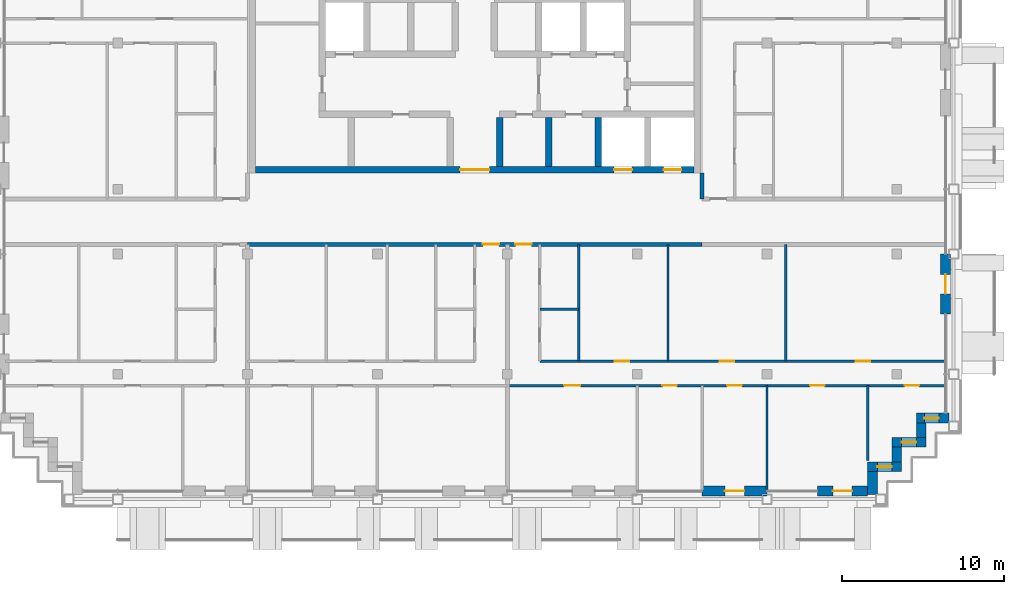
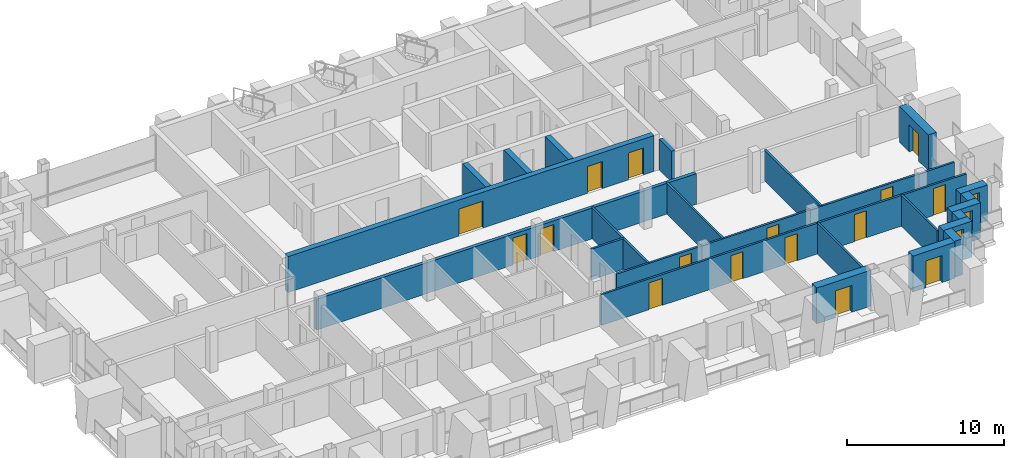
# One storey, part 9 of 15: 23 walls, 16 doors, 3 windows, 19 openings.
"""IFC4 building model written with IfcOpenShell, lengths in metres."""

from ifc_helpers import new_model, si_unit, direction, frame, frame_2d, origin, place, context, subcontext, project, spatial, rectangle, extrude, material, layer, layer_set, type_object, element, fill, save


model = new_model("IFC4")

# Units and contexts
model_context = context("Model", 3, precision=1e-05, world=origin(), true_north=direction((0.0, 1.0)))
body_context = subcontext(model_context, "Body", "Model", "MODEL_VIEW")
ifc_project = project(units=[si_unit("LENGTHUNIT", "METRE"), si_unit("AREAUNIT", "SQUARE_METRE"), si_unit("VOLUMEUNIT", "CUBIC_METRE"), si_unit("PLANEANGLEUNIT", "RADIAN"), si_unit("MASSUNIT", "GRAM", prefix="KILO")], contexts=[model_context])

# Site, building, storey
site_placement = place(None, origin())
site = spatial("IfcSite", under=ifc_project, at=site_placement, CompositionType="ELEMENT")
building_placement = place(site_placement, origin())
building = spatial("IfcBuilding", under=site, at=building_placement, Name="Vidyagriha Tower", CompositionType="ELEMENT")
storey_placement = place(building_placement, frame((0.0, 0.0, 236.39990234375)))
storey = spatial("IfcBuildingStorey", under=building, at=storey_placement, Name="L62", CompositionType="ELEMENT", Elevation=236.39990234375)

# Wall, opening, door
ifc_material_1 = material(Name="Precast concrete C40/50 with brick facing", Category="concrete")
ifc_layer_1 = layer(ifc_material_1, 0.60009765625)
ifc_layer_set_1 = layer_set([ifc_layer_1], Name="Precast concrete C40/50 with brick facing")
wall_type_1 = type_object("IfcWallType", Name="Brick-faced precast wall 600", PredefinedType="STANDARD", material=ifc_layer_set_1)
wall_1_placement = place(storey_placement, frame((14.0, -16.60009765625, 0.0)))
wall_1 = element("IfcWall", 1, at=wall_1_placement, inside=storey, type_object=wall_type_1, Name="Brick door bay wall L62 R23.11", PredefinedType="STANDARD", context=body_context, shape_type="SweptSolid", body=[
    extrude(rectangle(XDim=4.0, YDim=0.60009765625, at=frame_2d((2.0, 0.0))), origin(), (0.0, 0.0, 1.0), 2.800048828125),
])
opening_1_placement = place(wall_1_placement, frame((1.39990234375, 0.0, 0.0)))
opening_1 = element("IfcOpeningElement", 2, at=opening_1_placement, cuts=wall_1, Name="Opening D62-62", PredefinedType="OPENING", context=body_context, shape_type="SweptSolid", body=[
    extrude(rectangle(XDim=1.199951171875, YDim=2.10009765625, at=frame_2d((0.60009765625, 1.050048828125))), frame((0.0, 0.31005859375, 0.0), z_axis=(0.0, -1.0, 0.0), x_axis=(1.0, 0.0, 0.0)), (0.0, 0.0, 1.0), 0.6201171875),
])
ifc_material_2 = material(Name="Aluminium framed glazed sliding door", Category="aluminium")
door_type_1 = type_object("IfcDoorType", Name="Balcony sliding door 1200x2100", OperationType="NOTDEFINED", PredefinedType="DOOR", material=ifc_material_2)
door_1_placement = place(opening_1_placement, origin())
door_1 = element("IfcDoor", 3, at=door_1_placement, inside=storey, type_object=door_type_1, Name="Door D62-62", OperationType="SLIDING_TO_LEFT", OverallHeight=2.10009765625, OverallWidth=1.199951171875, PredefinedType="DOOR", context=body_context, shape_type="SweptSolid", body=[
    extrude(rectangle(XDim=1.199951171875, YDim=2.10009765625, at=frame_2d((0.60009765625, 1.050048828125))), frame((0.0, 0.02490234375, 0.0), z_axis=(0.0, -1.0, 0.0), x_axis=(1.0, 0.0, 0.0)), (0.0, 0.0, 1.0), 0.050048828125),
])
fill(opening_1, door_1)

wall_2_placement = place(storey_placement, frame((21.10009765625, -16.60009765625, 0.0)))
wall_2 = element("IfcWall", 4, at=wall_2_placement, inside=storey, type_object=wall_type_1, Name="Brick door bay wall L62 R23.13", PredefinedType="STANDARD", context=body_context, shape_type="SweptSolid", body=[
    extrude(rectangle(XDim=3.099853515625, YDim=0.60009765625, at=frame_2d((1.5498046875, 0.0))), origin(), (0.0, 0.0, 1.0), 2.800048828125),
])
opening_2_placement = place(wall_2_placement, frame((0.949951171875, 0.0, 0.0)))
opening_2 = element("IfcOpeningElement", 5, at=opening_2_placement, cuts=wall_2, Name="Opening D62-63", PredefinedType="OPENING", context=body_context, shape_type="SweptSolid", body=[
    extrude(rectangle(XDim=1.199951171875, YDim=2.10009765625, at=frame_2d((0.60009765625, 1.050048828125))), frame((0.0, 0.31005859375, 0.0), z_axis=(0.0, -1.0, 0.0), x_axis=(1.0, 0.0, 0.0)), (0.0, 0.0, 1.0), 0.6201171875),
])
door_2_placement = place(opening_2_placement, origin())
door_2 = element("IfcDoor", 6, at=door_2_placement, inside=storey, type_object=door_type_1, Name="Door D62-63", OperationType="SLIDING_TO_LEFT", OverallHeight=2.10009765625, OverallWidth=1.199951171875, PredefinedType="DOOR", context=body_context, shape_type="SweptSolid", body=[
    extrude(rectangle(XDim=1.199951171875, YDim=2.10009765625, at=frame_2d((0.60009765625, 1.050048828125))), frame((0.0, 0.02490234375, 0.0), z_axis=(0.0, -1.0, 0.0), x_axis=(1.0, 0.0, 0.0)), (0.0, 0.0, 1.0), 0.050048828125),
])
fill(opening_2, door_2)

# Wall
wall_3_placement = place(storey_placement, frame((24.5, -16.800048828125, 0.0), z_axis=(0.0, 0.0, 1.0), x_axis=(0.0, 1.0, 0.0)))
element("IfcWall", 7, at=wall_3_placement, inside=storey, type_object=wall_type_1, Name="Stepped corner wall L62 R24", PredefinedType="STANDARD", context=body_context, shape_type="SweptSolid", body=[
    extrude(rectangle(XDim=1.400146484375, YDim=0.60009765625, at=frame_2d((0.7001953125, 0.0))), origin(), (0.0, 0.0, 1.0), 2.800048828125),
])

# Wall, opening, window
wall_4_placement = place(storey_placement, frame((24.199951171875, -15.10009765625, 0.0)))
wall_4 = element("IfcWall", 8, at=wall_4_placement, inside=storey, type_object=wall_type_1, Name="Stepped corner wall L62 R25", PredefinedType="STANDARD", context=body_context, shape_type="SweptSolid", body=[
    extrude(rectangle(XDim=2.10009765625, YDim=0.60009765625, at=frame_2d((1.050048828125, 0.0))), origin(), (0.0, 0.0, 1.0), 2.800048828125),
])
opening_3_placement = place(wall_4_placement, frame((0.60009765625, 0.0, 0.89990234375)))
opening_3 = element("IfcOpeningElement", 9, at=opening_3_placement, cuts=wall_4, Name="Opening WN1", PredefinedType="OPENING", context=body_context, shape_type="SweptSolid", body=[
    extrude(rectangle(XDim=0.89990234375, YDim=1.5, at=frame_2d((0.449951171875, 0.75))), frame((0.0, 0.31005859375, 0.0), z_axis=(0.0, -1.0, 0.0), x_axis=(1.0, 0.0, 0.0)), (0.0, 0.0, 1.0), 0.6201171875),
])
ifc_material_3 = material(Name="Aluminium and glass window", Category="aluminium")
window_type = type_object("IfcWindowType", Name="Reveal window 900x1500", PartitioningType="NOTDEFINED", PredefinedType="WINDOW", material=ifc_material_3)
window_1_placement = place(opening_3_placement, origin())
window_1 = element("IfcWindow", 10, at=window_1_placement, inside=storey, type_object=window_type, Name="Reveal window L62 R25", OverallHeight=1.5, OverallWidth=0.89990234375, PartitioningType="SINGLE_PANEL", PredefinedType="WINDOW", context=body_context, shape_type="SweptSolid", body=[
    extrude(rectangle(XDim=0.89990234375, YDim=1.5, at=frame_2d((0.449951171875, 0.75))), frame((0.0, 0.030029296875, 0.0), z_axis=(0.0, -1.0, 0.0), x_axis=(1.0, 0.0, 0.0)), (0.0, 0.0, 1.0), 0.06005859375),
])
fill(opening_3, window_1)

# Wall
wall_5_placement = place(storey_placement, frame((26.0, -14.800048828125, 0.0), z_axis=(0.0, 0.0, 1.0), x_axis=(0.0, 1.0, 0.0)))
element("IfcWall", 11, at=wall_5_placement, inside=storey, type_object=wall_type_1, Name="Stepped corner wall L62 R26", PredefinedType="STANDARD", context=body_context, shape_type="SweptSolid", body=[
    extrude(rectangle(XDim=0.900146484375, YDim=0.60009765625, at=frame_2d((0.4501953125, 0.0))), origin(), (0.0, 0.0, 1.0), 2.800048828125),
])

# Wall, opening, window
wall_6_placement = place(storey_placement, frame((25.699951171875, -13.60009765625, 0.0)))
wall_6 = element("IfcWall", 12, at=wall_6_placement, inside=storey, type_object=wall_type_1, Name="Stepped corner wall L62 R27", PredefinedType="STANDARD", context=body_context, shape_type="SweptSolid", body=[
    extrude(rectangle(XDim=2.10009765625, YDim=0.60009765625, at=frame_2d((1.050048828125, 0.0))), origin(), (0.0, 0.0, 1.0), 2.800048828125),
])
opening_4_placement = place(wall_6_placement, frame((0.60009765625, 0.0, 0.89990234375)))
opening_4 = element("IfcOpeningElement", 13, at=opening_4_placement, cuts=wall_6, Name="Opening WN1", PredefinedType="OPENING", context=body_context, shape_type="SweptSolid", body=[
    extrude(rectangle(XDim=0.89990234375, YDim=1.5, at=frame_2d((0.449951171875, 0.75))), frame((0.0, 0.31005859375, 0.0), z_axis=(0.0, -1.0, 0.0), x_axis=(1.0, 0.0, 0.0)), (0.0, 0.0, 1.0), 0.6201171875),
])
window_2_placement = place(opening_4_placement, origin())
window_2 = element("IfcWindow", 14, at=window_2_placement, inside=storey, type_object=window_type, Name="Reveal window L62 R27", OverallHeight=1.5, OverallWidth=0.89990234375, PartitioningType="SINGLE_PANEL", PredefinedType="WINDOW", context=body_context, shape_type="SweptSolid", body=[
    extrude(rectangle(XDim=0.89990234375, YDim=1.5, at=frame_2d((0.449951171875, 0.75))), frame((0.0, 0.030029296875, 0.0), z_axis=(0.0, -1.0, 0.0), x_axis=(1.0, 0.0, 0.0)), (0.0, 0.0, 1.0), 0.06005859375),
])
fill(opening_4, window_2)

# Wall
wall_7_placement = place(storey_placement, frame((27.5, -13.300048828125, 0.0), z_axis=(0.0, 0.0, 1.0), x_axis=(0.0, 1.0, 0.0)))
element("IfcWall", 15, at=wall_7_placement, inside=storey, type_object=wall_type_1, Name="Stepped corner wall L62 R28", PredefinedType="STANDARD", context=body_context, shape_type="SweptSolid", body=[
    extrude(rectangle(XDim=0.900146484375, YDim=0.60009765625, at=frame_2d((0.4501953125, 0.0))), origin(), (0.0, 0.0, 1.0), 2.800048828125),
])

# Wall, opening, window
wall_8_placement = place(storey_placement, frame((27.199951171875, -12.10009765625, 0.0)))
wall_8 = element("IfcWall", 16, at=wall_8_placement, inside=storey, type_object=wall_type_1, Name="Stepped corner wall L62 R29", PredefinedType="STANDARD", context=body_context, shape_type="SweptSolid", body=[
    extrude(rectangle(XDim=2.0, YDim=0.60009765625, at=frame_2d((1.0, 0.0))), origin(), (0.0, 0.0, 1.0), 2.800048828125),
])
opening_5_placement = place(wall_8_placement, frame((0.489990234375, 0.0, 0.89990234375)))
opening_5 = element("IfcOpeningElement", 17, at=opening_5_placement, cuts=wall_8, Name="Opening WN1", PredefinedType="OPENING", context=body_context, shape_type="SweptSolid", body=[
    extrude(rectangle(XDim=0.89990234375, YDim=1.5, at=frame_2d((0.449951171875, 0.75))), frame((0.0, 0.31005859375, 0.0), z_axis=(0.0, -1.0, 0.0), x_axis=(1.0, 0.0, 0.0)), (0.0, 0.0, 1.0), 0.6201171875),
])
window_3_placement = place(opening_5_placement, origin())
window_3 = element("IfcWindow", 18, at=window_3_placement, inside=storey, type_object=window_type, Name="Reveal window L62 R29", OverallHeight=1.5, OverallWidth=0.89990234375, PartitioningType="SINGLE_PANEL", PredefinedType="WINDOW", context=body_context, shape_type="SweptSolid", body=[
    extrude(rectangle(XDim=0.89990234375, YDim=1.5, at=frame_2d((0.449951171875, 0.75))), frame((0.0, 0.030029296875, 0.0), z_axis=(0.0, -1.0, 0.0), x_axis=(1.0, 0.0, 0.0)), (0.0, 0.0, 1.0), 0.06005859375),
])
fill(opening_5, window_3)

# Wall, opening, door
wall_9_placement = place(storey_placement, frame((29.0, -5.699951171875, 0.0), z_axis=(0.0, 0.0, 1.0), x_axis=(0.0, 1.0, 0.0)))
wall_9 = element("IfcWall", 19, at=wall_9_placement, inside=storey, type_object=wall_type_1, Name="Brick door bay wall L62 R30.3", PredefinedType="STANDARD", context=body_context, shape_type="SweptSolid", body=[
    extrude(rectangle(XDim=3.699951171875, YDim=0.60009765625, at=frame_2d((1.85009765625, 0.0))), origin(), (0.0, 0.0, 1.0), 2.800048828125),
])
opening_6_placement = place(wall_9_placement, frame((1.25, 0.0, 0.0)))
opening_6 = element("IfcOpeningElement", 20, at=opening_6_placement, cuts=wall_9, Name="Opening D62-64", PredefinedType="OPENING", context=body_context, shape_type="SweptSolid", body=[
    extrude(rectangle(XDim=1.199951171875, YDim=2.10009765625, at=frame_2d((0.60009765625, 1.050048828125))), frame((0.0, 0.31005859375, 0.0), z_axis=(0.0, -1.0, 0.0), x_axis=(1.0, 0.0, 0.0)), (0.0, 0.0, 1.0), 0.6201171875),
])
door_3_placement = place(opening_6_placement, origin())
door_3 = element("IfcDoor", 21, at=door_3_placement, inside=storey, type_object=door_type_1, Name="Door D62-64", OperationType="SLIDING_TO_LEFT", OverallHeight=2.10009765625, OverallWidth=1.199951171875, PredefinedType="DOOR", context=body_context, shape_type="SweptSolid", body=[
    extrude(rectangle(XDim=1.199951171875, YDim=2.10009765625, at=frame_2d((0.60009765625, 1.050048828125))), frame((0.0, 0.02490234375, 0.0), z_axis=(0.0, -1.0, 0.0), x_axis=(1.0, 0.0, 0.0)), (0.0, 0.0, 1.0), 0.050048828125),
])
fill(opening_6, door_3)

# Wall, openings, doors
ifc_material_4 = material(Name="Concrete C60/75", Category="concrete")
ifc_layer_2 = layer(ifc_material_4, 0.39990234375)
ifc_layer_set_2 = layer_set([ifc_layer_2], Name="Concrete C60/75")
wall_type_2 = type_object("IfcWallType", Name="Core shear wall 400 mm", PredefinedType="SHEAR", material=ifc_layer_set_2)
wall_10_placement = place(storey_placement, frame((-13.5, 3.199951171875, 0.0)))
wall_10 = element("IfcWall", 22, at=wall_10_placement, inside=storey, type_object=wall_type_2, Name="Core front wall", PredefinedType="SHEAR", context=body_context, shape_type="SweptSolid", body=[
    extrude(rectangle(XDim=27.0, YDim=0.39990234375, at=frame_2d((13.5, 0.0))), origin(), (0.0, 0.0, 1.0), 2.800048828125),
])
opening_7_placement = place(wall_10_placement, frame((22.083251953125, 0.0, 0.0)))
opening_7 = element("IfcOpeningElement", 23, at=opening_7_placement, cuts=wall_10, Name="Opening LD62-01", PredefinedType="OPENING", context=body_context, shape_type="SweptSolid", body=[
    extrude(rectangle(XDim=1.10009765625, YDim=2.10009765625, at=frame_2d((0.550048828125, 1.050048828125))), frame((0.0, 0.2099609375, 0.0), z_axis=(0.0, -1.0, 0.0), x_axis=(1.0, 0.0, 0.0)), (0.0, 0.0, 1.0), 0.419921875),
])
opening_8_placement = place(wall_10_placement, frame((25.127685546875, 0.0, 0.0)))
opening_8 = element("IfcOpeningElement", 24, at=opening_8_placement, cuts=wall_10, Name="Opening LD62-02", PredefinedType="OPENING", context=body_context, shape_type="SweptSolid", body=[
    extrude(rectangle(XDim=1.10009765625, YDim=2.10009765625, at=frame_2d((0.550048828125, 1.050048828125))), frame((0.0, 0.2099609375, 0.0), z_axis=(0.0, -1.0, 0.0), x_axis=(1.0, 0.0, 0.0)), (0.0, 0.0, 1.0), 0.419921875),
])
opening_9_placement = place(wall_10_placement, frame((12.60009765625, 0.0, 0.0)))
opening_9 = element("IfcOpeningElement", 25, at=opening_9_placement, cuts=wall_10, Name="Opening D62-01", PredefinedType="OPENING", context=body_context, shape_type="SweptSolid", body=[
    extrude(rectangle(XDim=1.800048828125, YDim=2.10009765625, at=frame_2d((0.89990234375, 1.050048828125))), frame((0.0, 0.2099609375, 0.0), z_axis=(0.0, -1.0, 0.0), x_axis=(1.0, 0.0, 0.0)), (0.0, 0.0, 1.0), 0.419921875),
])
ifc_material_5 = material(Name="Hollow metal door leaf")
door_type_2 = type_object("IfcDoorType", Name="Core lobby double door 1800 x 2100 mm EI 60", OperationType="NOTDEFINED", PredefinedType="DOOR", material=ifc_material_5)
door_4_placement = place(opening_9_placement, frame((1.800048828125, 0.0, 0.0), z_axis=(0.0, 0.0, 1.0), x_axis=(-1.0, 0.0, 0.0)))
door_4 = element("IfcDoor", 26, at=door_4_placement, inside=storey, type_object=door_type_2, Name="Core entrance door L62", OperationType="DOUBLE_DOOR_SINGLE_SWING", OverallHeight=2.10009765625, OverallWidth=1.800048828125, PredefinedType="DOOR", context=body_context, shape_type="SweptSolid", body=[
    extrude(rectangle(XDim=1.800048828125, YDim=2.10009765625, at=frame_2d((0.89990234375, 1.050048828125))), frame((0.0, 0.02490234375, 0.0), z_axis=(0.0, -1.0, 0.0), x_axis=(1.0, 0.0, 0.0)), (0.0, 0.0, 1.0), 0.050048828125),
])
fill(opening_9, door_4)
ifc_material_6 = material(Name="Stainless steel sliding door panel", Category="steel")
door_type_3 = type_object("IfcDoorType", Name="Lift landing door 1100 x 2100 mm EI 90", OperationType="NOTDEFINED", PredefinedType="DOOR", material=ifc_material_6)
door_5_placement = place(opening_7_placement, origin())
door_5 = element("IfcDoor", 27, at=door_5_placement, inside=storey, type_object=door_type_3, Name="Landing door MR1 L62", OperationType="SLIDING_TO_LEFT", OverallHeight=2.10009765625, OverallWidth=1.10009765625, PredefinedType="DOOR", context=body_context, shape_type="SweptSolid", body=[
    extrude(rectangle(XDim=1.10009765625, YDim=2.10009765625, at=frame_2d((0.550048828125, 1.050048828125))), frame((0.0, 0.02490234375, 0.0), z_axis=(0.0, -1.0, 0.0), x_axis=(1.0, 0.0, 0.0)), (0.0, 0.0, 1.0), 0.050048828125),
])
fill(opening_7, door_5)
door_6_placement = place(opening_8_placement, origin())
door_6 = element("IfcDoor", 28, at=door_6_placement, inside=storey, type_object=door_type_3, Name="Landing door MR2 L62", OperationType="SLIDING_TO_LEFT", OverallHeight=2.10009765625, OverallWidth=1.10009765625, PredefinedType="DOOR", context=body_context, shape_type="SweptSolid", body=[
    extrude(rectangle(XDim=1.10009765625, YDim=2.10009765625, at=frame_2d((0.550048828125, 1.050048828125))), frame((0.0, 0.02490234375, 0.0), z_axis=(0.0, -1.0, 0.0), x_axis=(1.0, 0.0, 0.0)), (0.0, 0.0, 1.0), 0.050048828125),
])
fill(opening_8, door_6)

# Walls
for number, where, z_axis, x_axis, name in (
    (29, (1.522216796875, 3.39990234375, 0.0), (0.0, 0.0, 1.0), (0.0, 1.0, 0.0), "Core bay wall S5"),
    (30, (4.566650390625, 3.39990234375, 0.0), (0.0, 0.0, 1.0), (0.0, 1.0, 0.0), "Core bay wall S6"),
    (31, (7.611083984375, 3.39990234375, 0.0), (0.0, 0.0, 1.0), (0.0, 1.0, 0.0), "Core bay wall S7"),
):
    element("IfcWall", number, at=place(storey_placement, frame(where, z_axis=z_axis, x_axis=x_axis)), inside=storey, type_object=wall_type_2, Name=name, PredefinedType="SHEAR", context=body_context, shape_type="SweptSolid", body=[
        extrude(rectangle(XDim=3.0, YDim=0.39990234375, at=frame_2d((1.5, 0.0))), origin(), (0.0, 0.0, 1.0), 2.800048828125),
    ])

# Wall, openings, doors
ifc_material_7 = material(Name="Fired clay brick masonry", Category="masonry")
ifc_layer_3 = layer(ifc_material_7, 0.25)
ifc_layer_set_3 = layer_set([ifc_layer_3], Name="Fired clay brick masonry")
wall_type_3 = type_object("IfcWallType", Name="Fired clay brick corridor wall 250", PredefinedType="PARTITIONING", material=ifc_layer_set_3)
wall_11_placement = place(storey_placement, frame((14.0, -1.39990234375, 0.0), z_axis=(0.0, 0.0, 1.0), x_axis=(-1.0, 0.0, 0.0)))
wall_11 = element("IfcWall", 32, at=wall_11_placement, inside=storey, type_object=wall_type_3, Name="Wall all-L62-w091", PredefinedType="PARTITIONING", context=body_context, shape_type="SweptSolid", body=[
    extrude(rectangle(XDim=28.0, YDim=0.25, at=frame_2d((14.0, 0.0))), origin(), (0.0, 0.0, 1.0), 2.400146484375),
])
opening_10_placement = place(wall_11_placement, frame((12.5, 0.0, 0.0)))
opening_10 = element("IfcOpeningElement", 33, at=opening_10_placement, cuts=wall_11, Name="Opening D62-30", PredefinedType="OPENING", context=body_context, shape_type="SweptSolid", body=[
    extrude(rectangle(XDim=1.0, YDim=2.10009765625, at=frame_2d((0.5, 1.050048828125))), frame((0.0, 0.135009765625, 0.0), z_axis=(0.0, -1.0, 0.0), x_axis=(1.0, 0.0, 0.0)), (0.0, 0.0, 1.0), 0.27001953125),
])
opening_11_placement = place(wall_11_placement, frame((10.5, 0.0, 0.0)))
opening_11 = element("IfcOpeningElement", 34, at=opening_11_placement, cuts=wall_11, Name="Opening D62-41", PredefinedType="OPENING", context=body_context, shape_type="SweptSolid", body=[
    extrude(rectangle(XDim=1.0, YDim=2.10009765625, at=frame_2d((0.5, 1.050048828125))), frame((0.0, 0.135009765625, 0.0), z_axis=(0.0, -1.0, 0.0), x_axis=(1.0, 0.0, 0.0)), (0.0, 0.0, 1.0), 0.27001953125),
])
ifc_material_8 = material(Name="Fire-rated timber door leaf EI 60", Category="wood")
door_type_4 = type_object("IfcDoorType", Name="Flat entrance fire door 1000x2100", OperationType="NOTDEFINED", PredefinedType="DOOR", material=ifc_material_8)
door_7_placement = place(opening_10_placement, origin())
door_7 = element("IfcDoor", 35, at=door_7_placement, inside=storey, type_object=door_type_4, Name="Door D62-30", OperationType="SINGLE_SWING_LEFT", OverallHeight=2.10009765625, OverallWidth=1.0, PredefinedType="DOOR", context=body_context, shape_type="SweptSolid", body=[
    extrude(rectangle(XDim=1.0, YDim=2.10009765625, at=frame_2d((0.5, 1.050048828125))), frame((0.0, 0.02490234375, 0.0), z_axis=(0.0, -1.0, 0.0), x_axis=(1.0, 0.0, 0.0)), (0.0, 0.0, 1.0), 0.050048828125),
])
fill(opening_10, door_7)
door_8_placement = place(opening_11_placement, origin())
door_8 = element("IfcDoor", 36, at=door_8_placement, inside=storey, type_object=door_type_4, Name="Door D62-41", OperationType="SINGLE_SWING_RIGHT", OverallHeight=2.10009765625, OverallWidth=1.0, PredefinedType="DOOR", context=body_context, shape_type="SweptSolid", body=[
    extrude(rectangle(XDim=1.0, YDim=2.10009765625, at=frame_2d((0.5, 1.050048828125))), frame((0.0, 0.02490234375, 0.0), z_axis=(0.0, -1.0, 0.0), x_axis=(1.0, 0.0, 0.0)), (0.0, 0.0, 1.0), 0.050048828125),
])
fill(opening_11, door_8)

# Walls
wall_12_placement = place(storey_placement, frame((14.0, 1.39990234375, 0.0), z_axis=(0.0, 0.0, 1.0), x_axis=(0.0, 1.0, 0.0)))
element("IfcWall", 37, at=wall_12_placement, inside=storey, type_object=wall_type_3, Name="Wall all-L62-w093", PredefinedType="PARTITIONING", context=body_context, shape_type="SweptSolid", body=[
    extrude(rectangle(XDim=1.60009765625, YDim=0.25, at=frame_2d((0.800048828125, 0.0))), origin(), (0.0, 0.0, 1.0), 2.400146484375),
])
ifc_material_9 = material(Name="Gypsum board partition")
ifc_layer_4 = layer(ifc_material_9, 0.14990234375)
ifc_layer_set_4 = layer_set([ifc_layer_4], Name="Gypsum board partition")
wall_type_4 = type_object("IfcWallType", Name="Gypsum board partition 150", PredefinedType="PARTITIONING", material=ifc_layer_set_4)
wall_13_placement = place(storey_placement, frame((6.39990234375, -5.39990234375, 0.0), z_axis=(0.0, 0.0, 1.0), x_axis=(-1.0, 0.0, 0.0)))
element("IfcWall", 38, at=wall_13_placement, inside=storey, type_object=wall_type_4, Name="Wall all-L62-w039", PredefinedType="PARTITIONING", context=body_context, shape_type="SweptSolid", body=[
    extrude(rectangle(XDim=2.39990234375, YDim=0.14990234375, at=frame_2d((1.199951171875, 0.0))), origin(), (0.0, 0.0, 1.0), 2.400146484375),
])
for number, where, z_axis, x_axis, name in (
    (39, (6.39990234375, -1.39990234375, 0.0), (0.0, 0.0, 1.0), (0.0, -1.0, 0.0), "Wall all-L62-w040"),
    (40, (11.89990234375, -1.39990234375, 0.0), (0.0, 0.0, 1.0), (0.0, -1.0, 0.0), "Wall all-L62-w041"),
    (41, (19.14990234375, -1.39990234375, 0.0), (0.0, 0.0, 1.0), (0.0, -1.0, 0.0), "Wall all-L62-w042"),
):
    element("IfcWall", number, at=place(storey_placement, frame(where, z_axis=z_axis, x_axis=x_axis)), inside=storey, type_object=wall_type_4, Name=name, PredefinedType="PARTITIONING", context=body_context, shape_type="SweptSolid", body=[
        extrude(rectangle(XDim=7.2001953125, YDim=0.14990234375, at=frame_2d((3.60009765625, 0.0))), origin(), (0.0, 0.0, 1.0), 2.400146484375),
    ])

# Wall, openings, doors
wall_14_placement = place(storey_placement, frame((4.0, -8.60009765625, 0.0)))
wall_14 = element("IfcWall", 42, at=wall_14_placement, inside=storey, type_object=wall_type_4, Name="Wall all-L62-w043", PredefinedType="PARTITIONING", context=body_context, shape_type="SweptSolid", body=[
    extrude(rectangle(XDim=24.919921875, YDim=0.14990234375, at=frame_2d((12.4599609375, 0.0))), origin(), (0.0, 0.0, 1.0), 2.400146484375),
])
opening_12_placement = place(wall_14_placement, frame((4.6240234375, 0.0, 0.0)))
opening_12 = element("IfcOpeningElement", 43, at=opening_12_placement, cuts=wall_14, Name="Opening D62-33", PredefinedType="OPENING", context=body_context, shape_type="SweptSolid", body=[
    extrude(rectangle(XDim=0.89990234375, YDim=2.10009765625, at=frame_2d((0.449951171875, 1.050048828125))), frame((0.0, 0.0849609375, 0.0), z_axis=(0.0, -1.0, 0.0), x_axis=(1.0, 0.0, 0.0)), (0.0, 0.0, 1.0), 0.169921875),
])
opening_13_placement = place(wall_14_placement, frame((11.074951171875, 0.0, 0.0)))
opening_13 = element("IfcOpeningElement", 44, at=opening_13_placement, cuts=wall_14, Name="Opening D62-34", PredefinedType="OPENING", context=body_context, shape_type="SweptSolid", body=[
    extrude(rectangle(XDim=0.89990234375, YDim=2.10009765625, at=frame_2d((0.449951171875, 1.050048828125))), frame((0.0, 0.0849609375, 0.0), z_axis=(0.0, -1.0, 0.0), x_axis=(1.0, 0.0, 0.0)), (0.0, 0.0, 1.0), 0.169921875),
])
opening_14_placement = place(wall_14_placement, frame((19.47509765625, 0.0, 0.0)))
opening_14 = element("IfcOpeningElement", 45, at=opening_14_placement, cuts=wall_14, Name="Opening D62-35", PredefinedType="OPENING", context=body_context, shape_type="SweptSolid", body=[
    extrude(rectangle(XDim=0.89990234375, YDim=2.10009765625, at=frame_2d((0.449951171875, 1.050048828125))), frame((0.0, 0.0849609375, 0.0), z_axis=(0.0, -1.0, 0.0), x_axis=(1.0, 0.0, 0.0)), (0.0, 0.0, 1.0), 0.169921875),
])
ifc_material_10 = material(Name="Timber door leaf", Category="wood")
door_type_5 = type_object("IfcDoorType", Name="Room door 900x2100", OperationType="NOTDEFINED", PredefinedType="DOOR", material=ifc_material_10)
door_9_placement = place(opening_12_placement, origin())
door_9 = element("IfcDoor", 46, at=door_9_placement, inside=storey, type_object=door_type_5, Name="Door D62-33", OperationType="SINGLE_SWING_LEFT", OverallHeight=2.10009765625, OverallWidth=0.89990234375, PredefinedType="DOOR", context=body_context, shape_type="SweptSolid", body=[
    extrude(rectangle(XDim=0.89990234375, YDim=2.10009765625, at=frame_2d((0.449951171875, 1.050048828125))), frame((0.0, 0.02490234375, 0.0), z_axis=(0.0, -1.0, 0.0), x_axis=(1.0, 0.0, 0.0)), (0.0, 0.0, 1.0), 0.050048828125),
])
fill(opening_12, door_9)
door_10_placement = place(opening_13_placement, origin())
door_10 = element("IfcDoor", 47, at=door_10_placement, inside=storey, type_object=door_type_5, Name="Door D62-34", OperationType="SINGLE_SWING_RIGHT", OverallHeight=2.10009765625, OverallWidth=0.89990234375, PredefinedType="DOOR", context=body_context, shape_type="SweptSolid", body=[
    extrude(rectangle(XDim=0.89990234375, YDim=2.10009765625, at=frame_2d((0.449951171875, 1.050048828125))), frame((0.0, 0.02490234375, 0.0), z_axis=(0.0, -1.0, 0.0), x_axis=(1.0, 0.0, 0.0)), (0.0, 0.0, 1.0), 0.050048828125),
])
fill(opening_13, door_10)
door_11_placement = place(opening_14_placement, origin())
door_11 = element("IfcDoor", 48, at=door_11_placement, inside=storey, type_object=door_type_5, Name="Door D62-35", OperationType="SINGLE_SWING_RIGHT", OverallHeight=2.10009765625, OverallWidth=0.89990234375, PredefinedType="DOOR", context=body_context, shape_type="SweptSolid", body=[
    extrude(rectangle(XDim=0.89990234375, YDim=2.10009765625, at=frame_2d((0.449951171875, 1.050048828125))), frame((0.0, 0.02490234375, 0.0), z_axis=(0.0, -1.0, 0.0), x_axis=(1.0, 0.0, 0.0)), (0.0, 0.0, 1.0), 0.050048828125),
])
fill(opening_14, door_11)

wall_15_placement = place(storey_placement, frame((28.919921875, -10.10009765625, 0.0), z_axis=(0.0, 0.0, 1.0), x_axis=(-1.0, 0.0, 0.0)))
wall_15 = element("IfcWall", 49, at=wall_15_placement, inside=storey, type_object=wall_type_4, Name="Wall all-L62-w047", PredefinedType="PARTITIONING", context=body_context, shape_type="SweptSolid", body=[
    extrude(rectangle(XDim=26.919921875, YDim=0.14990234375, at=frame_2d((13.4599609375, 0.0))), origin(), (0.0, 0.0, 1.0), 2.400146484375),
])
opening_15_placement = place(wall_15_placement, frame((22.419921875, 0.0, 0.0)))
opening_15 = element("IfcOpeningElement", 50, at=opening_15_placement, cuts=wall_15, Name="Opening D62-36", PredefinedType="OPENING", context=body_context, shape_type="SweptSolid", body=[
    extrude(rectangle(XDim=1.0, YDim=2.10009765625, at=frame_2d((0.5, 1.050048828125))), frame((0.0, 0.0849609375, 0.0), z_axis=(0.0, -1.0, 0.0), x_axis=(1.0, 0.0, 0.0)), (0.0, 0.0, 1.0), 0.169921875),
])
opening_16_placement = place(wall_15_placement, frame((16.469970703125, 0.0, 0.0)))
opening_16 = element("IfcOpeningElement", 51, at=opening_16_placement, cuts=wall_15, Name="Opening D62-37", PredefinedType="OPENING", context=body_context, shape_type="SweptSolid", body=[
    extrude(rectangle(XDim=0.89990234375, YDim=2.10009765625, at=frame_2d((0.449951171875, 1.050048828125))), frame((0.0, 0.0849609375, 0.0), z_axis=(0.0, -1.0, 0.0), x_axis=(1.0, 0.0, 0.0)), (0.0, 0.0, 1.0), 0.169921875),
])
opening_17_placement = place(wall_15_placement, frame((12.469970703125, 0.0, 0.0)))
opening_17 = element("IfcOpeningElement", 52, at=opening_17_placement, cuts=wall_15, Name="Opening D62-38", PredefinedType="OPENING", context=body_context, shape_type="SweptSolid", body=[
    extrude(rectangle(XDim=0.89990234375, YDim=2.10009765625, at=frame_2d((0.449951171875, 1.050048828125))), frame((0.0, 0.0849609375, 0.0), z_axis=(0.0, -1.0, 0.0), x_axis=(1.0, 0.0, 0.0)), (0.0, 0.0, 1.0), 0.169921875),
])
opening_18_placement = place(wall_15_placement, frame((7.3701171875, 0.0, 0.0)))
opening_18 = element("IfcOpeningElement", 53, at=opening_18_placement, cuts=wall_15, Name="Opening D62-39", PredefinedType="OPENING", context=body_context, shape_type="SweptSolid", body=[
    extrude(rectangle(XDim=0.89990234375, YDim=2.10009765625, at=frame_2d((0.449951171875, 1.050048828125))), frame((0.0, 0.0849609375, 0.0), z_axis=(0.0, -1.0, 0.0), x_axis=(1.0, 0.0, 0.0)), (0.0, 0.0, 1.0), 0.169921875),
])
opening_19_placement = place(wall_15_placement, frame((1.5439453125, 0.0, 0.0)))
opening_19 = element("IfcOpeningElement", 54, at=opening_19_placement, cuts=wall_15, Name="Opening D62-40", PredefinedType="OPENING", context=body_context, shape_type="SweptSolid", body=[
    extrude(rectangle(XDim=0.89990234375, YDim=2.10009765625, at=frame_2d((0.449951171875, 1.050048828125))), frame((0.0, 0.0849609375, 0.0), z_axis=(0.0, -1.0, 0.0), x_axis=(1.0, 0.0, 0.0)), (0.0, 0.0, 1.0), 0.169921875),
])
ifc_material_11 = material(Name="Timber door leaf", Category="wood")
door_type_6 = type_object("IfcDoorType", Name="Room door 1000x2100", OperationType="NOTDEFINED", PredefinedType="DOOR", material=ifc_material_11)
door_12_placement = place(opening_15_placement, origin())
door_12 = element("IfcDoor", 55, at=door_12_placement, inside=storey, type_object=door_type_6, Name="Door D62-36", OperationType="SINGLE_SWING_RIGHT", OverallHeight=2.10009765625, OverallWidth=1.0, PredefinedType="DOOR", context=body_context, shape_type="SweptSolid", body=[
    extrude(rectangle(XDim=1.0, YDim=2.10009765625, at=frame_2d((0.5, 1.050048828125))), frame((0.0, 0.02490234375, 0.0), z_axis=(0.0, -1.0, 0.0), x_axis=(1.0, 0.0, 0.0)), (0.0, 0.0, 1.0), 0.050048828125),
])
fill(opening_15, door_12)
door_13_placement = place(opening_16_placement, origin())
door_13 = element("IfcDoor", 56, at=door_13_placement, inside=storey, type_object=door_type_5, Name="Door D62-37", OperationType="SINGLE_SWING_RIGHT", OverallHeight=2.10009765625, OverallWidth=0.89990234375, PredefinedType="DOOR", context=body_context, shape_type="SweptSolid", body=[
    extrude(rectangle(XDim=0.89990234375, YDim=2.10009765625, at=frame_2d((0.449951171875, 1.050048828125))), frame((0.0, 0.02490234375, 0.0), z_axis=(0.0, -1.0, 0.0), x_axis=(1.0, 0.0, 0.0)), (0.0, 0.0, 1.0), 0.050048828125),
])
fill(opening_16, door_13)
door_14_placement = place(opening_17_placement, origin())
door_14 = element("IfcDoor", 57, at=door_14_placement, inside=storey, type_object=door_type_5, Name="Door D62-38", OperationType="SINGLE_SWING_RIGHT", OverallHeight=2.10009765625, OverallWidth=0.89990234375, PredefinedType="DOOR", context=body_context, shape_type="SweptSolid", body=[
    extrude(rectangle(XDim=0.89990234375, YDim=2.10009765625, at=frame_2d((0.449951171875, 1.050048828125))), frame((0.0, 0.02490234375, 0.0), z_axis=(0.0, -1.0, 0.0), x_axis=(1.0, 0.0, 0.0)), (0.0, 0.0, 1.0), 0.050048828125),
])
fill(opening_17, door_14)
door_15_placement = place(opening_18_placement, origin())
door_15 = element("IfcDoor", 58, at=door_15_placement, inside=storey, type_object=door_type_5, Name="Door D62-39", OperationType="SINGLE_SWING_LEFT", OverallHeight=2.10009765625, OverallWidth=0.89990234375, PredefinedType="DOOR", context=body_context, shape_type="SweptSolid", body=[
    extrude(rectangle(XDim=0.89990234375, YDim=2.10009765625, at=frame_2d((0.449951171875, 1.050048828125))), frame((0.0, 0.02490234375, 0.0), z_axis=(0.0, -1.0, 0.0), x_axis=(1.0, 0.0, 0.0)), (0.0, 0.0, 1.0), 0.050048828125),
])
fill(opening_18, door_15)
door_16_placement = place(opening_19_placement, origin())
door_16 = element("IfcDoor", 59, at=door_16_placement, inside=storey, type_object=door_type_5, Name="Door D62-40", OperationType="SINGLE_SWING_LEFT", OverallHeight=2.10009765625, OverallWidth=0.89990234375, PredefinedType="DOOR", context=body_context, shape_type="SweptSolid", body=[
    extrude(rectangle(XDim=0.89990234375, YDim=2.10009765625, at=frame_2d((0.449951171875, 1.050048828125))), frame((0.0, 0.02490234375, 0.0), z_axis=(0.0, -1.0, 0.0), x_axis=(1.0, 0.0, 0.0)), (0.0, 0.0, 1.0), 0.050048828125),
])
fill(opening_19, door_16)

# Walls
wall_16_placement = place(storey_placement, frame((18.0, -10.10009765625, 0.0), z_axis=(0.0, 0.0, 1.0), x_axis=(0.0, -1.0, 0.0)))
element("IfcWall", 60, at=wall_16_placement, inside=storey, type_object=wall_type_4, Name="Wall all-L62-w055", PredefinedType="PARTITIONING", context=body_context, shape_type="SweptSolid", body=[
    extrude(rectangle(XDim=6.409912109375, YDim=0.14990234375, at=frame_2d((3.205078125, 0.0))), origin(), (0.0, 0.0, 1.0), 2.400146484375),
])
wall_17_placement = place(storey_placement, frame((24.199951171875, -10.10009765625, 0.0), z_axis=(0.0, 0.0, 1.0), x_axis=(0.0, -1.0, 0.0)))
element("IfcWall", 61, at=wall_17_placement, inside=storey, type_object=wall_type_4, Name="Wall all-L62-w056", PredefinedType="PARTITIONING", context=body_context, shape_type="SweptSolid", body=[
    extrude(rectangle(XDim=4.619873046875, YDim=0.14990234375, at=frame_2d((2.31005859375, 0.0))), origin(), (0.0, 0.0, 1.0), 2.400146484375),
])

save(model, "model.ifc")
